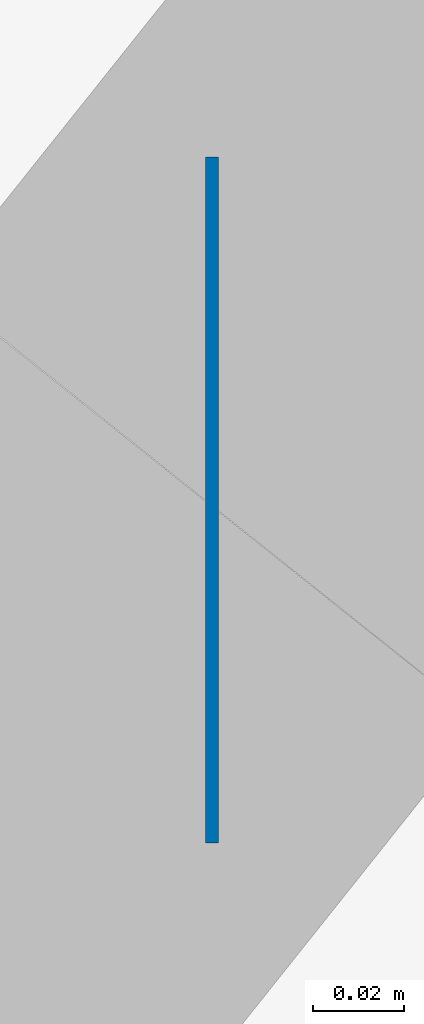
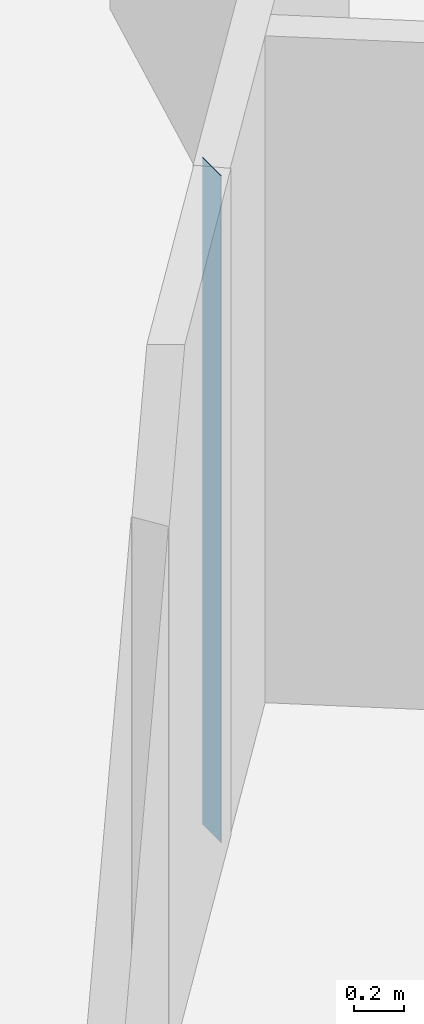
# One storey, part 5 of 13: 1 wall.
"""IFC4 building model written with IfcOpenShell, lengths in metres."""

from ifc_helpers import new_model, si_unit, direction, frame, frame_2d, origin, place, context, subcontext, project, spatial, rectangle, extrude, material, layer, layer_set, type_object, element, save


model = new_model("IFC4")

# Units and contexts
model_context = context("Model", 3, precision=1e-05, world=origin(), true_north=direction((0.0, 1.0)))
body_context = subcontext(model_context, "Body", "Model", "MODEL_VIEW")
ifc_project = project(units=[si_unit("LENGTHUNIT", "METRE"), si_unit("AREAUNIT", "SQUARE_METRE"), si_unit("VOLUMEUNIT", "CUBIC_METRE"), si_unit("PLANEANGLEUNIT", "RADIAN"), si_unit("MASSUNIT", "GRAM", prefix="KILO")], contexts=[model_context])

# Site, building, storey
site_placement = place(None, origin())
site = spatial("IfcSite", under=ifc_project, at=site_placement, CompositionType="ELEMENT")
building_placement = place(site_placement, origin())
building = spatial("IfcBuilding", under=site, at=building_placement, Name="Tracery Tower", CompositionType="ELEMENT")
storey_placement = place(building_placement, frame((0.0, 0.0, 301.800048828125)))
storey = spatial("IfcBuildingStorey", under=building, at=storey_placement, Name="L78", CompositionType="ELEMENT", Elevation=301.800048828125)

# Wall
ifc_material = material(Name="Plasterboard on steel studs", Category="steel")
ifc_layer = layer(ifc_material, 0.14990234375)
ifc_layer_set = layer_set([ifc_layer], Name="Partition 150 corridor wall")
wall_type = type_object("IfcWallType", Name="Partition 150 corridor wall", PredefinedType="PARTITIONING", material=ifc_layer_set)
wall_placement = place(storey_placement, frame((11.136962890625, -8.800048828125, 0.0), z_axis=(0.0, 0.0, 1.0), x_axis=(-1.0, 0.0, 0.0)))
element("IfcWall", 1, at=wall_placement, inside=storey, type_object=wall_type, Name="Corridor wall RC7-018", PredefinedType="PARTITIONING", context=body_context, shape_type="SweptSolid", body=[
    extrude(rectangle(XDim=0.0029296875, YDim=0.14990234375, at=frame_2d((0.00146484375, 0.0))), origin(), (0.0, 0.0, 1.0), 3.25),
])

save(model, "model.ifc")
